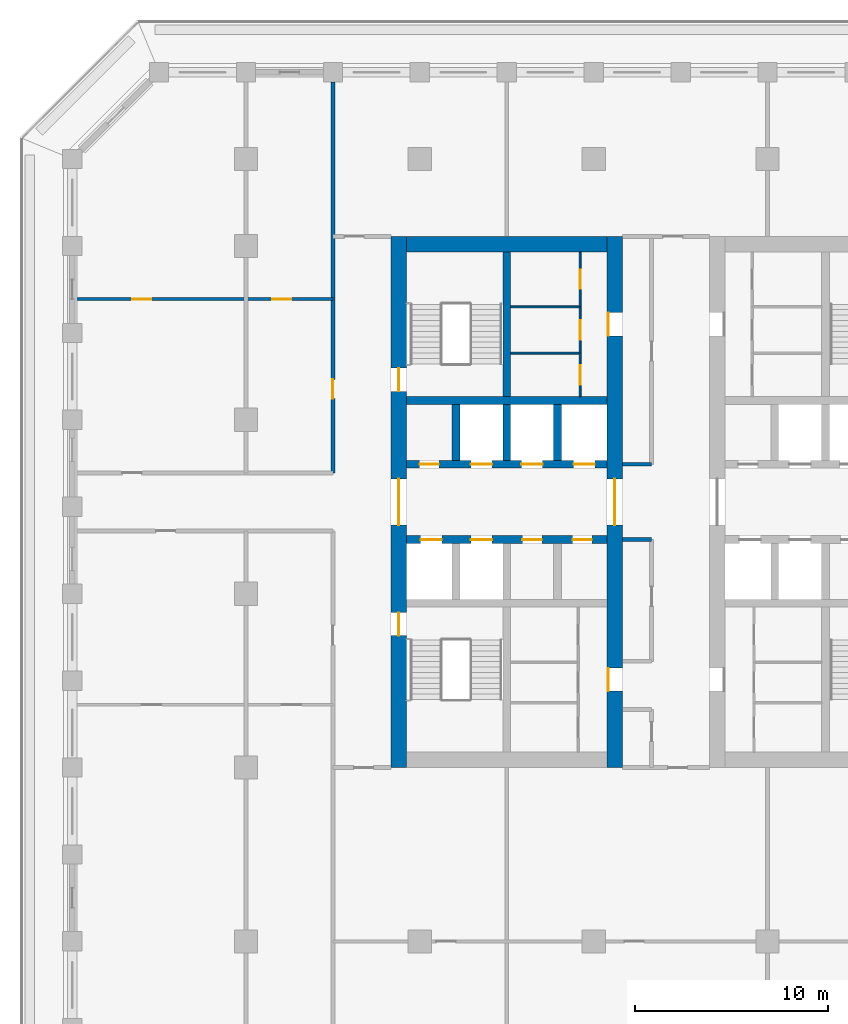
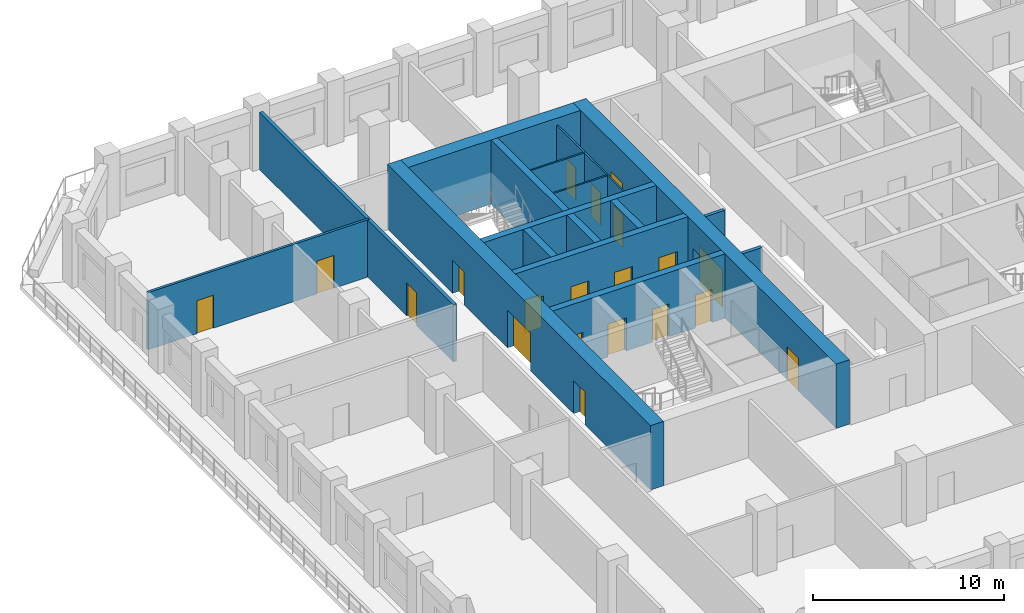
# One storey, part 5 of 16: 20 doors, 19 walls, 20 openings.
"""IFC4 building model written with IfcOpenShell, lengths in metres."""

import ifcopenshell
import ifcopenshell.guid

model = None  # the IFC model being written
_history = None  # IfcOwnerHistory: only IFC2X3 demands one
_inside = {}  # id of a spatial element -> (the spatial element, [elements in it])
_under = {}  # id of a project, library or spatial element -> (it, [spatial elements below it])
_declared = {}  # id of a project -> (the project, [libraries it declares])
_typed = {}  # id of a type object -> (the type object, [elements of that type])
_made_of = {}  # id of a material, layer set ... -> (it, [elements and type objects made of it])


def new_model(schema):
    """Start an empty IFC model of exactly this schema.

    Asked for "IFC4X3", IfcOpenShell would pick the latest addendum, in which some entities
    have other attributes; the version numbers below select the first issue.
    IFC2X3 requires an IfcOwnerHistory on every rooted entity: one is made here for all.
    """
    global model, _history
    if schema == "IFC4X3":
        model = ifcopenshell.file(schema_version=(4, 3, 0, 0))
    else:
        model = ifcopenshell.file(schema=schema)
    _inside.clear()
    _under.clear()
    _declared.clear()
    _typed.clear()
    _made_of.clear()
    _history = None
    if model.schema == "IFC2X3":
        org = make("IfcOrganization", Name="unknown")
        user = make(
            "IfcPersonAndOrganization",
            ThePerson=make("IfcPerson", FamilyName="unknown"),
            TheOrganization=org,
        )
        app = make(
            "IfcApplication",
            ApplicationDeveloper=org,
            Version="unknown",
            ApplicationFullName="unknown",
            ApplicationIdentifier="unknown",
        )
        _history = make(
            "IfcOwnerHistory",
            OwningUser=user,
            OwningApplication=app,
            ChangeAction="ADDED",
            CreationDate=0,
        )
    return model


def make(cls, **values):
    """One entity of the class cls with the attributes given. An attribute that is None is left unset."""
    return model.create_entity(
        cls, **{name: value for name, value in values.items() if value is not None}
    )


def rooted(cls, **values):
    """An entity with a GlobalId (a new one), such as an element, a storey or a relation."""
    return make(cls, GlobalId=ifcopenshell.guid.new(), OwnerHistory=_history, **values)


def si_unit(unit_type, name, prefix=None):
    """IfcSIUnit, for example si_unit("LENGTHUNIT", "METRE", prefix="MILLI")."""
    return make("IfcSIUnit", UnitType=unit_type, Prefix=prefix, Name=name)


def assignment(units):
    """IfcUnitAssignment: the units of a project."""
    return None if units is None else make("IfcUnitAssignment", Units=units)


def point(xyz):
    """IfcCartesianPoint."""
    return None if xyz is None else make("IfcCartesianPoint", Coordinates=xyz)


def direction(xyz):
    """IfcDirection."""
    return None if xyz is None else make("IfcDirection", DirectionRatios=xyz)


def frame(location, z_axis=None, x_axis=None):
    """IfcAxis2Placement3D, a coordinate frame: its origin and axes. An axis left out is left unset."""
    return make(
        "IfcAxis2Placement3D",
        Location=point(location),
        Axis=direction(z_axis),
        RefDirection=direction(x_axis),
    )


def frame_2d(location, x_axis=None):
    """IfcAxis2Placement2D, a coordinate frame in the plane: its origin and x axis."""
    return make(
        "IfcAxis2Placement2D", Location=point(location), RefDirection=direction(x_axis)
    )


def origin():
    """The frame at (0, 0, 0) with its axes left unset."""
    return frame((0.0, 0.0, 0.0))


def place(relative_to, where):
    """IfcLocalPlacement: puts the frame where relative to a parent placement (None: the world)."""
    return make(
        "IfcLocalPlacement", PlacementRelTo=relative_to, RelativePlacement=where
    )


def context(
    kind, dimensions, precision=None, world=None, true_north=None, identifier=None
):
    """IfcGeometricRepresentationContext, for example the 3D "Model" context."""
    return make(
        "IfcGeometricRepresentationContext",
        ContextIdentifier=identifier,
        ContextType=kind,
        CoordinateSpaceDimension=dimensions,
        Precision=precision,
        WorldCoordinateSystem=world,
        TrueNorth=true_north,
    )


def subcontext(parent, identifier, kind, view, scale=None):
    """IfcGeometricRepresentationSubContext, for example "Body" below "Model"."""
    return make(
        "IfcGeometricRepresentationSubContext",
        ContextIdentifier=identifier,
        ContextType=kind,
        ParentContext=parent,
        TargetScale=scale,
        TargetView=view,
    )


def project(units=None, contexts=None):
    """IfcProject with its units and contexts."""
    return rooted(
        "IfcProject",
        Name="project",
        RepresentationContexts=contexts,
        UnitsInContext=assignment(units),
    )


def spatial(cls, under=None, at=None, **own):
    """A site, building, storey or space (cls), placed at a placement, below another one or the project."""
    s = rooted(cls, ObjectPlacement=at, **own)
    if under is not None:
        _under.setdefault(under.id(), (under, []))[1].append(s)
    return s


def profile(cls, at=None, kind="AREA", **sizes):
    """A parametric profile (cls). Its sizes go by their IFC names, for example OverallWidth=200.0."""
    return make(cls, ProfileType=kind, Position=at, **sizes)


def rectangle(**sizes):
    """IfcRectangleProfileDef."""
    return profile("IfcRectangleProfileDef", **sizes)


def extrude(swept, where, along, depth):
    """IfcExtrudedAreaSolid: the profile swept, set in the frame where, extruded along a direction by depth."""
    return make(
        "IfcExtrudedAreaSolid",
        SweptArea=swept,
        Position=where,
        ExtrudedDirection=direction(along),
        Depth=depth,
    )


def shape(context_of_items, identifier, shape_type, items):
    """IfcShapeRepresentation: the items that make up one representation, for example the "Body"."""
    return make(
        "IfcShapeRepresentation",
        ContextOfItems=context_of_items,
        RepresentationIdentifier=identifier,
        RepresentationType=shape_type,
        Items=items,
    )


def material(Name=None, Category=None):
    """IfcMaterial."""
    return make("IfcMaterial", Name=Name, Category=Category)


def layer(
    of_material, thickness, ventilated=None, Name=None, Category=None, Priority=None
):
    """IfcMaterialLayer: one layer of a wall or slab, of a material (None: an air gap)."""
    return make(
        "IfcMaterialLayer",
        Material=of_material,
        LayerThickness=thickness,
        IsVentilated=ventilated,
        Name=Name,
        Category=Category,
        Priority=Priority,
    )


def layer_set(layers, Name=None):
    """IfcMaterialLayerSet."""
    return make("IfcMaterialLayerSet", MaterialLayers=layers, LayerSetName=Name)


def made_of(thing, what):
    """Note that an element or type object is made of a material, layer set ...; save() writes the relation."""
    if what is not None:
        _made_of.setdefault(what.id(), (what, []))[1].append(thing)
    return thing


def type_object(cls, material=None, **own):
    """A type object (cls), such as IfcWallType, which elements share."""
    return made_of(rooted(cls, **own), material)


def element(
    cls,
    number,
    at=None,
    inside=None,
    cuts=None,
    type_object=None,
    material=None,
    context=None,
    identifier="Body",
    shape_type=None,
    held_by="IfcProductDefinitionShape",
    body=None,
    shapes=None,
    **own,
):
    """One element of the class cls, such as IfcWall. Its Tag is "e" and its number.

    at: its placement. inside: the storey or other place that contains it. cuts: it is an
    opening in that element (IfcRelVoidsElement). A single representation is given by context,
    identifier, shape_type and body (its items); several are given by shapes. held_by: the class
    of the entity that holds the representations. save() writes the other relations.
    """
    e = rooted(cls, Tag="e%d" % number, ObjectPlacement=at, **own)
    if body is not None:
        shapes = [shape(context, identifier, shape_type, body)]
    if shapes is not None:
        e.Representation = make(held_by, Representations=shapes)
    if inside is not None:
        _inside.setdefault(inside.id(), (inside, []))[1].append(e)
    if cuts is not None:
        rooted(
            "IfcRelVoidsElement", RelatingBuildingElement=cuts, RelatedOpeningElement=e
        )
    if type_object is not None:
        _typed.setdefault(type_object.id(), (type_object, []))[1].append(e)
    return made_of(e, material)


def fill(opening, filler):
    """IfcRelFillsElement: the door or window that sits in an opening."""
    return rooted(
        "IfcRelFillsElement",
        RelatingOpeningElement=opening,
        RelatedBuildingElement=filler,
    )


def aggregate(whole, parts):
    """IfcRelAggregates: a whole, such as a stair, and the parts it consists of."""
    return rooted("IfcRelAggregates", RelatingObject=whole, RelatedObjects=parts)


def save(model, path):
    """Write the relations noted so far, then the file.

    IfcRelAggregates (storeys below a building ...), IfcRelContainedInSpatialStructure (elements
    in a storey), IfcRelDefinesByType, IfcRelAssociatesMaterial and IfcRelDeclares: one each for
    every whole, place, type object, material and project.
    """
    for whole, parts in _under.values():
        aggregate(whole, parts)
    for where, things in _inside.values():
        rooted(
            "IfcRelContainedInSpatialStructure",
            RelatedElements=things,
            RelatingStructure=where,
        )
    for kind, things in _typed.values():
        rooted("IfcRelDefinesByType", RelatedObjects=things, RelatingType=kind)
    for what, things in _made_of.values():
        rooted("IfcRelAssociatesMaterial", RelatedObjects=things, RelatingMaterial=what)
    for by, libraries in _declared.values():
        rooted("IfcRelDeclares", RelatingContext=by, RelatedDefinitions=libraries)
    model.write(path)


model = new_model("IFC4")

# Units and contexts
model_context = context("Model", 3, precision=1e-05, world=origin(), true_north=direction((0.0, 1.0)))
body_context = subcontext(model_context, "Body", "Model", "MODEL_VIEW")
ifc_project = project(units=[si_unit("LENGTHUNIT", "METRE"), si_unit("AREAUNIT", "SQUARE_METRE"), si_unit("VOLUMEUNIT", "CUBIC_METRE"), si_unit("PLANEANGLEUNIT", "RADIAN"), si_unit("MASSUNIT", "GRAM", prefix="KILO")], contexts=[model_context])

# Site, building, storey
site_placement = place(None, origin())
site = spatial("IfcSite", under=ifc_project, at=site_placement, CompositionType="ELEMENT")
building_placement = place(site_placement, origin())
building = spatial("IfcBuilding", under=site, at=building_placement, Name="Corbel Stack Research Tower", CompositionType="ELEMENT")
storey_placement = place(building_placement, frame((0.0, 0.0, 169.10009765625)))
storey = spatial("IfcBuildingStorey", under=building, at=storey_placement, Name="L38", CompositionType="ELEMENT", Elevation=169.10009765625)

# Wall, openings, doors
ifc_material_1 = material(Name="Concrete C60/75", Category="concrete")
ifc_layer_1 = layer(ifc_material_1, 0.39990234375)
ifc_layer_set_1 = layer_set([ifc_layer_1], Name="Concrete C60/75")
wall_type_1 = type_object("IfcWallType", Name="CW-400-60", PredefinedType="SHEAR", material=ifc_layer_set_1)
wall_1_placement = place(storey_placement, frame((-9.699951171875, 2.800048828125, 0.0), z_axis=(0.0, 0.0, 1.0), x_axis=(1.0, 0.0, 0.0)))
wall_1 = element("IfcWall", 1, at=wall_1_placement, inside=storey, type_object=wall_type_1, Name="West core wall, lobby south L38", PredefinedType="SHEAR", context=body_context, shape_type="SweptSolid", body=[
    extrude(rectangle(XDim=10.39990234375, YDim=0.39990234375, at=frame_2d((5.199951171875, 0.0))), origin(), (0.0, 0.0, 1.0), 4.099853515625),
])
opening_1_placement = place(wall_1_placement, frame((0.737548828125, 0.0, 0.0)))
opening_1 = element("IfcOpeningElement", 2, at=opening_1_placement, cuts=wall_1, Name="Opening LD-FS1", PredefinedType="OPENING", context=body_context, shape_type="SweptSolid", body=[
    extrude(rectangle(XDim=1.10009765625, YDim=2.10009765625, at=frame_2d((0.550048828125, 1.050048828125))), frame((0.0, 0.2099609375, 0.0), z_axis=(0.0, -1.0, 0.0), x_axis=(1.0, 0.0, 0.0)), (0.0, 0.0, 1.0), 0.419921875),
])
opening_2_placement = place(wall_1_placement, frame((3.33740234375, 0.0, 0.0)))
opening_2 = element("IfcOpeningElement", 3, at=opening_2_placement, cuts=wall_1, Name="Opening LD-GL1", PredefinedType="OPENING", context=body_context, shape_type="SweptSolid", body=[
    extrude(rectangle(XDim=1.10009765625, YDim=2.10009765625, at=frame_2d((0.550048828125, 1.050048828125))), frame((0.0, 0.2099609375, 0.0), z_axis=(0.0, -1.0, 0.0), x_axis=(1.0, 0.0, 0.0)), (0.0, 0.0, 1.0), 0.419921875),
])
opening_3_placement = place(wall_1_placement, frame((6.012451171875, 0.0, 0.0)))
opening_3 = element("IfcOpeningElement", 4, at=opening_3_placement, cuts=wall_1, Name="Opening CR-W12-S3", PredefinedType="OPENING", context=body_context, shape_type="SweptSolid", body=[
    extrude(rectangle(XDim=1.0, YDim=2.10009765625, at=frame_2d((0.5, 1.050048828125))), frame((0.0, 0.2099609375, 0.0), z_axis=(0.0, -1.0, 0.0), x_axis=(1.0, 0.0, 0.0)), (0.0, 0.0, 1.0), 0.419921875),
])
opening_4_placement = place(wall_1_placement, frame((8.612548828125, 0.0, 0.0)))
opening_4 = element("IfcOpeningElement", 5, at=opening_4_placement, cuts=wall_1, Name="Opening CR-W12-S4", PredefinedType="OPENING", context=body_context, shape_type="SweptSolid", body=[
    extrude(rectangle(XDim=1.0, YDim=2.10009765625, at=frame_2d((0.5, 1.050048828125))), frame((0.0, 0.2099609375, 0.0), z_axis=(0.0, -1.0, 0.0), x_axis=(1.0, 0.0, 0.0)), (0.0, 0.0, 1.0), 0.419921875),
])
ifc_material_2 = material(Name="Stainless steel landing door", Category="steel")
door_type_1 = type_object("IfcDoorType", Name="Lift landing door 1100 x 2100", OperationType="DOUBLE_DOOR_SLIDING", PredefinedType="DOOR", material=ifc_material_2)
door_1_placement = place(opening_1_placement, origin())
door_1 = element("IfcDoor", 6, at=door_1_placement, inside=storey, type_object=door_type_1, Name="Landing door FS1", OperationType="DOUBLE_DOOR_SLIDING", OverallHeight=2.10009765625, OverallWidth=1.10009765625, PredefinedType="DOOR", context=body_context, shape_type="SweptSolid", body=[
    extrude(rectangle(XDim=1.10009765625, YDim=2.10009765625, at=frame_2d((0.550048828125, 1.050048828125))), frame((0.0, 0.02490234375, 0.0), z_axis=(0.0, -1.0, 0.0), x_axis=(1.0, 0.0, 0.0)), (0.0, 0.0, 1.0), 0.050048828125),
])
fill(opening_1, door_1)
door_2_placement = place(opening_2_placement, origin())
door_2 = element("IfcDoor", 7, at=door_2_placement, inside=storey, type_object=door_type_1, Name="Landing door GL1", OperationType="DOUBLE_DOOR_SLIDING", OverallHeight=2.10009765625, OverallWidth=1.10009765625, PredefinedType="DOOR", context=body_context, shape_type="SweptSolid", body=[
    extrude(rectangle(XDim=1.10009765625, YDim=2.10009765625, at=frame_2d((0.550048828125, 1.050048828125))), frame((0.0, 0.02490234375, 0.0), z_axis=(0.0, -1.0, 0.0), x_axis=(1.0, 0.0, 0.0)), (0.0, 0.0, 1.0), 0.050048828125),
])
fill(opening_2, door_2)
ifc_material_3 = material(Name="Painted steel door", Category="steel")
door_type_2 = type_object("IfcDoorType", Name="Service door 1000 x 2100 FD60 left hand", OperationType="SINGLE_SWING_LEFT", PredefinedType="DOOR", material=ifc_material_3)
door_3_placement = place(opening_3_placement, origin())
door_3 = element("IfcDoor", 8, at=door_3_placement, inside=storey, type_object=door_type_2, Name="Vending bay door W core", OperationType="SINGLE_SWING_LEFT", OverallHeight=2.10009765625, OverallWidth=1.0, PredefinedType="DOOR", context=body_context, shape_type="SweptSolid", body=[
    extrude(rectangle(XDim=1.0, YDim=2.10009765625, at=frame_2d((0.5, 1.050048828125))), frame((0.0, 0.02490234375, 0.0), z_axis=(0.0, -1.0, 0.0), x_axis=(1.0, 0.0, 0.0)), (0.0, 0.0, 1.0), 0.050048828125),
])
fill(opening_3, door_3)
ifc_material_4 = material(Name="Painted steel door", Category="steel")
door_type_3 = type_object("IfcDoorType", Name="Service door 1000 x 2100 FD60 right hand", OperationType="SINGLE_SWING_RIGHT", PredefinedType="DOOR", material=ifc_material_4)
door_4_placement = place(opening_4_placement, origin())
door_4 = element("IfcDoor", 9, at=door_4_placement, inside=storey, type_object=door_type_3, Name="Mechanical room door W core", OperationType="SINGLE_SWING_RIGHT", OverallHeight=2.10009765625, OverallWidth=1.0, PredefinedType="DOOR", context=body_context, shape_type="SweptSolid", body=[
    extrude(rectangle(XDim=1.0, YDim=2.10009765625, at=frame_2d((0.5, 1.050048828125))), frame((0.0, 0.02490234375, 0.0), z_axis=(0.0, -1.0, 0.0), x_axis=(1.0, 0.0, 0.0)), (0.0, 0.0, 1.0), 0.050048828125),
])
fill(opening_4, door_4)

wall_2_placement = place(storey_placement, frame((-9.699951171875, 6.699951171875, 0.0), z_axis=(0.0, 0.0, 1.0), x_axis=(1.0, 0.0, 0.0)))
wall_2 = element("IfcWall", 10, at=wall_2_placement, inside=storey, type_object=wall_type_1, Name="West core wall, lobby north L38", PredefinedType="SHEAR", context=body_context, shape_type="SweptSolid", body=[
    extrude(rectangle(XDim=10.39990234375, YDim=0.39990234375, at=frame_2d((5.199951171875, 0.0))), origin(), (0.0, 0.0, 1.0), 4.099853515625),
])
opening_5_placement = place(wall_2_placement, frame((3.33740234375, 0.0, 0.0)))
opening_5 = element("IfcOpeningElement", 11, at=opening_5_placement, cuts=wall_2, Name="Opening LD-HR1", PredefinedType="OPENING", context=body_context, shape_type="SweptSolid", body=[
    extrude(rectangle(XDim=1.10009765625, YDim=2.10009765625, at=frame_2d((0.550048828125, 1.050048828125))), frame((0.0, 0.2099609375, 0.0), z_axis=(0.0, -1.0, 0.0), x_axis=(1.0, 0.0, 0.0)), (0.0, 0.0, 1.0), 0.419921875),
])
opening_6_placement = place(wall_2_placement, frame((5.96240234375, 0.0, 0.0)))
opening_6 = element("IfcOpeningElement", 12, at=opening_6_placement, cuts=wall_2, Name="Opening LD-HR2", PredefinedType="OPENING", context=body_context, shape_type="SweptSolid", body=[
    extrude(rectangle(XDim=1.10009765625, YDim=2.10009765625, at=frame_2d((0.550048828125, 1.050048828125))), frame((0.0, 0.2099609375, 0.0), z_axis=(0.0, -1.0, 0.0), x_axis=(1.0, 0.0, 0.0)), (0.0, 0.0, 1.0), 0.419921875),
])
opening_7_placement = place(wall_2_placement, frame((8.66259765625, 0.0, 0.0)))
opening_7 = element("IfcOpeningElement", 13, at=opening_7_placement, cuts=wall_2, Name="Opening LD-HR3", PredefinedType="OPENING", context=body_context, shape_type="SweptSolid", body=[
    extrude(rectangle(XDim=1.10009765625, YDim=2.10009765625, at=frame_2d((0.550048828125, 1.050048828125))), frame((0.0, 0.2099609375, 0.0), z_axis=(0.0, -1.0, 0.0), x_axis=(1.0, 0.0, 0.0)), (0.0, 0.0, 1.0), 0.419921875),
])
opening_8_placement = place(wall_2_placement, frame((0.6875, 0.0, 0.0)))
opening_8 = element("IfcOpeningElement", 14, at=opening_8_placement, cuts=wall_2, Name="Opening CR-W12-N1", PredefinedType="OPENING", context=body_context, shape_type="SweptSolid", body=[
    extrude(rectangle(XDim=1.0, YDim=2.10009765625, at=frame_2d((0.5, 1.050048828125))), frame((0.0, 0.2099609375, 0.0), z_axis=(0.0, -1.0, 0.0), x_axis=(1.0, 0.0, 0.0)), (0.0, 0.0, 1.0), 0.419921875),
])
door_5_placement = place(opening_5_placement, origin())
door_5 = element("IfcDoor", 15, at=door_5_placement, inside=storey, type_object=door_type_1, Name="Landing door HR1", OperationType="DOUBLE_DOOR_SLIDING", OverallHeight=2.10009765625, OverallWidth=1.10009765625, PredefinedType="DOOR", context=body_context, shape_type="SweptSolid", body=[
    extrude(rectangle(XDim=1.10009765625, YDim=2.10009765625, at=frame_2d((0.550048828125, 1.050048828125))), frame((0.0, 0.02490234375, 0.0), z_axis=(0.0, -1.0, 0.0), x_axis=(1.0, 0.0, 0.0)), (0.0, 0.0, 1.0), 0.050048828125),
])
fill(opening_5, door_5)
door_6_placement = place(opening_6_placement, origin())
door_6 = element("IfcDoor", 16, at=door_6_placement, inside=storey, type_object=door_type_1, Name="Landing door HR2", OperationType="DOUBLE_DOOR_SLIDING", OverallHeight=2.10009765625, OverallWidth=1.10009765625, PredefinedType="DOOR", context=body_context, shape_type="SweptSolid", body=[
    extrude(rectangle(XDim=1.10009765625, YDim=2.10009765625, at=frame_2d((0.550048828125, 1.050048828125))), frame((0.0, 0.02490234375, 0.0), z_axis=(0.0, -1.0, 0.0), x_axis=(1.0, 0.0, 0.0)), (0.0, 0.0, 1.0), 0.050048828125),
])
fill(opening_6, door_6)
door_7_placement = place(opening_7_placement, origin())
door_7 = element("IfcDoor", 17, at=door_7_placement, inside=storey, type_object=door_type_1, Name="Landing door HR3", OperationType="DOUBLE_DOOR_SLIDING", OverallHeight=2.10009765625, OverallWidth=1.10009765625, PredefinedType="DOOR", context=body_context, shape_type="SweptSolid", body=[
    extrude(rectangle(XDim=1.10009765625, YDim=2.10009765625, at=frame_2d((0.550048828125, 1.050048828125))), frame((0.0, 0.02490234375, 0.0), z_axis=(0.0, -1.0, 0.0), x_axis=(1.0, 0.0, 0.0)), (0.0, 0.0, 1.0), 0.050048828125),
])
fill(opening_7, door_7)
door_8_placement = place(opening_8_placement, origin())
door_8 = element("IfcDoor", 18, at=door_8_placement, inside=storey, type_object=door_type_2, Name="Telecom room door W core", OperationType="SINGLE_SWING_LEFT", OverallHeight=2.10009765625, OverallWidth=1.0, PredefinedType="DOOR", context=body_context, shape_type="SweptSolid", body=[
    extrude(rectangle(XDim=1.0, YDim=2.10009765625, at=frame_2d((0.5, 1.050048828125))), frame((0.0, 0.02490234375, 0.0), z_axis=(0.0, -1.0, 0.0), x_axis=(1.0, 0.0, 0.0)), (0.0, 0.0, 1.0), 0.050048828125),
])
fill(opening_8, door_8)

# Walls
wall_3_placement = place(storey_placement, frame((-9.699951171875, 10.0, 0.0), z_axis=(0.0, 0.0, 1.0), x_axis=(1.0, 0.0, 0.0)))
element("IfcWall", 19, at=wall_3_placement, inside=storey, type_object=wall_type_1, Name="West core wall, north row back L38", PredefinedType="SHEAR", context=body_context, shape_type="SweptSolid", body=[
    extrude(rectangle(XDim=10.39990234375, YDim=0.39990234375, at=frame_2d((5.199951171875, 0.0))), origin(), (0.0, 0.0, 1.0), 4.099853515625),
])
for number, where, z_axis, x_axis, name in (
    (20, (-7.125, 6.89990234375, 0.0), (0.0, 0.0, 1.0), (0.0, 1.0, 0.0), "West core wall, north shaft 1 L38"),
    (21, (-4.5, 6.89990234375, 0.0), (0.0, 0.0, 1.0), (0.0, 1.0, 0.0), "West core wall, north shaft 2 L38"),
    (22, (-1.875, 6.89990234375, 0.0), (0.0, 0.0, 1.0), (0.0, 1.0, 0.0), "West core wall, north shaft 3 L38"),
):
    element("IfcWall", number, at=place(storey_placement, frame(where, z_axis=z_axis, x_axis=x_axis)), inside=storey, type_object=wall_type_1, Name=name, PredefinedType="SHEAR", context=body_context, shape_type="SweptSolid", body=[
        extrude(rectangle(XDim=2.900146484375, YDim=0.39990234375, at=frame_2d((1.4501953125, 0.0))), origin(), (0.0, 0.0, 1.0), 4.099853515625),
    ])
wall_4_placement = place(storey_placement, frame((-4.5, 10.199951171875, 0.0), z_axis=(0.0, 0.0, 1.0), x_axis=(0.0, 1.0, 0.0)))
element("IfcWall", 23, at=wall_4_placement, inside=storey, type_object=wall_type_1, Name="West core wall, north stair and riser L38", PredefinedType="SHEAR", context=body_context, shape_type="SweptSolid", body=[
    extrude(rectangle(XDim=7.5, YDim=0.39990234375, at=frame_2d((3.75, 0.0))), origin(), (0.0, 0.0, 1.0), 4.099853515625),
])

# Wall, openings, doors
ifc_material_5 = material(Name="Concrete C60/75", Category="concrete")
ifc_layer_2 = layer(ifc_material_5, 0.800048828125)
ifc_layer_set_2 = layer_set([ifc_layer_2], Name="Concrete C60/75")
wall_type_2 = type_object("IfcWallType", Name="CW-800-60", PredefinedType="SHEAR", material=ifc_layer_set_2)
wall_5_placement = place(storey_placement, frame((-10.10009765625, -9.0, 0.0), z_axis=(0.0, 0.0, 1.0), x_axis=(0.0, 1.0, 0.0)))
wall_5 = element("IfcWall", 24, at=wall_5_placement, inside=storey, type_object=wall_type_2, Name="West core wall, west face L38", PredefinedType="SHEAR", context=body_context, shape_type="SweptSolid", body=[
    extrude(rectangle(XDim=27.5, YDim=0.800048828125, at=frame_2d((13.75, 0.0))), origin(), (0.0, 0.0, 1.0), 4.099853515625),
])
opening_9_placement = place(wall_5_placement, frame((12.550048828125, 0.0, 0.0)))
opening_9 = element("IfcOpeningElement", 25, at=opening_9_placement, cuts=wall_5, Name="Opening CD-W-W", PredefinedType="OPENING", context=body_context, shape_type="SweptSolid", body=[
    extrude(rectangle(XDim=2.39990234375, YDim=2.39990234375, at=frame_2d((1.199951171875, 1.199951171875))), frame((0.0, 0.409912109375, 0.0), z_axis=(0.0, -1.0, 0.0), x_axis=(1.0, 0.0, 0.0)), (0.0, 0.0, 1.0), 0.820068359375),
])
opening_10_placement = place(wall_5_placement, frame((6.824951171875, 0.0, 0.0)))
opening_10 = element("IfcOpeningElement", 26, at=opening_10_placement, cuts=wall_5, Name="Opening SD-ST-W1", PredefinedType="OPENING", context=body_context, shape_type="SweptSolid", body=[
    extrude(rectangle(XDim=1.199951171875, YDim=2.10009765625, at=frame_2d((0.60009765625, 1.050048828125))), frame((0.0, 0.409912109375, 0.0), z_axis=(0.0, -1.0, 0.0), x_axis=(1.0, 0.0, 0.0)), (0.0, 0.0, 1.0), 0.820068359375),
])
opening_11_placement = place(wall_5_placement, frame((19.47509765625, 0.0, 0.0)))
opening_11 = element("IfcOpeningElement", 27, at=opening_11_placement, cuts=wall_5, Name="Opening SD-ST-W2", PredefinedType="OPENING", context=body_context, shape_type="SweptSolid", body=[
    extrude(rectangle(XDim=1.199951171875, YDim=2.10009765625, at=frame_2d((0.60009765625, 1.050048828125))), frame((0.0, 0.409912109375, 0.0), z_axis=(0.0, -1.0, 0.0), x_axis=(1.0, 0.0, 0.0)), (0.0, 0.0, 1.0), 0.820068359375),
])
ifc_material_6 = material(Name="Painted steel fire door", Category="steel")
door_type_4 = type_object("IfcDoorType", Name="Lobby door pair 2400 x 2400 FD30S", OperationType="DOUBLE_DOOR_DOUBLE_SWING", PredefinedType="DOOR", material=ifc_material_6)
door_9_placement = place(opening_9_placement, origin())
door_9 = element("IfcDoor", 28, at=door_9_placement, inside=storey, type_object=door_type_4, Name="Lift lobby door W core W", OperationType="DOUBLE_DOOR_DOUBLE_SWING", OverallHeight=2.39990234375, OverallWidth=2.39990234375, PredefinedType="DOOR", context=body_context, shape_type="SweptSolid", body=[
    extrude(rectangle(XDim=2.39990234375, YDim=2.39990234375, at=frame_2d((1.199951171875, 1.199951171875))), frame((0.0, 0.02490234375, 0.0), z_axis=(0.0, -1.0, 0.0), x_axis=(1.0, 0.0, 0.0)), (0.0, 0.0, 1.0), 0.050048828125),
])
fill(opening_9, door_9)
ifc_material_7 = material(Name="Painted steel fire door", Category="steel")
door_type_5 = type_object("IfcDoorType", Name="Stair door 1200 x 2100 FD90 left hand", OperationType="SINGLE_SWING_LEFT", PredefinedType="DOOR", material=ifc_material_7)
door_10_placement = place(opening_10_placement, origin())
door_10 = element("IfcDoor", 29, at=door_10_placement, inside=storey, type_object=door_type_5, Name="Stair door ST-W1", OperationType="SINGLE_SWING_LEFT", OverallHeight=2.10009765625, OverallWidth=1.199951171875, PredefinedType="DOOR", context=body_context, shape_type="SweptSolid", body=[
    extrude(rectangle(XDim=1.199951171875, YDim=2.10009765625, at=frame_2d((0.60009765625, 1.050048828125))), frame((0.0, 0.02490234375, 0.0), z_axis=(0.0, -1.0, 0.0), x_axis=(1.0, 0.0, 0.0)), (0.0, 0.0, 1.0), 0.050048828125),
])
fill(opening_10, door_10)
door_11_placement = place(opening_11_placement, origin())
door_11 = element("IfcDoor", 30, at=door_11_placement, inside=storey, type_object=door_type_5, Name="Stair door ST-W2", OperationType="SINGLE_SWING_LEFT", OverallHeight=2.10009765625, OverallWidth=1.199951171875, PredefinedType="DOOR", context=body_context, shape_type="SweptSolid", body=[
    extrude(rectangle(XDim=1.199951171875, YDim=2.10009765625, at=frame_2d((0.60009765625, 1.050048828125))), frame((0.0, 0.02490234375, 0.0), z_axis=(0.0, -1.0, 0.0), x_axis=(1.0, 0.0, 0.0)), (0.0, 0.0, 1.0), 0.050048828125),
])
fill(opening_11, door_11)

wall_6_placement = place(storey_placement, frame((1.10009765625, -9.0, 0.0), z_axis=(0.0, 0.0, 1.0), x_axis=(0.0, 1.0, 0.0)))
wall_6 = element("IfcWall", 31, at=wall_6_placement, inside=storey, type_object=wall_type_2, Name="West core wall, east face L38", PredefinedType="SHEAR", context=body_context, shape_type="SweptSolid", body=[
    extrude(rectangle(XDim=27.5, YDim=0.800048828125, at=frame_2d((13.75, 0.0))), origin(), (0.0, 0.0, 1.0), 4.099853515625),
])
opening_12_placement = place(wall_6_placement, frame((12.550048828125, 0.0, 0.0)))
opening_12 = element("IfcOpeningElement", 32, at=opening_12_placement, cuts=wall_6, Name="Opening CD-W-E", PredefinedType="OPENING", context=body_context, shape_type="SweptSolid", body=[
    extrude(rectangle(XDim=2.39990234375, YDim=2.39990234375, at=frame_2d((1.199951171875, 1.199951171875))), frame((0.0, 0.409912109375, 0.0), z_axis=(0.0, -1.0, 0.0), x_axis=(1.0, 0.0, 0.0)), (0.0, 0.0, 1.0), 0.820068359375),
])
opening_13_placement = place(wall_6_placement, frame((3.949951171875, 0.0, 0.0)))
opening_13 = element("IfcOpeningElement", 33, at=opening_13_placement, cuts=wall_6, Name="Opening CR-W12-W1-1200", PredefinedType="OPENING", context=body_context, shape_type="SweptSolid", body=[
    extrude(rectangle(XDim=1.199951171875, YDim=2.10009765625, at=frame_2d((0.60009765625, 1.050048828125))), frame((0.0, 0.409912109375, 0.0), z_axis=(0.0, -1.0, 0.0), x_axis=(1.0, 0.0, 0.0)), (0.0, 0.0, 1.0), 0.820068359375),
])
opening_14_placement = place(wall_6_placement, frame((22.35009765625, 0.0, 0.0)))
opening_14 = element("IfcOpeningElement", 34, at=opening_14_placement, cuts=wall_6, Name="Opening CR-W12-R1-1200", PredefinedType="OPENING", context=body_context, shape_type="SweptSolid", body=[
    extrude(rectangle(XDim=1.199951171875, YDim=2.10009765625, at=frame_2d((0.60009765625, 1.050048828125))), frame((0.0, 0.409912109375, 0.0), z_axis=(0.0, -1.0, 0.0), x_axis=(1.0, 0.0, 0.0)), (0.0, 0.0, 1.0), 0.820068359375),
])
door_12_placement = place(opening_12_placement, origin())
door_12 = element("IfcDoor", 35, at=door_12_placement, inside=storey, type_object=door_type_4, Name="Lift lobby door W core E", OperationType="DOUBLE_DOOR_DOUBLE_SWING", OverallHeight=2.39990234375, OverallWidth=2.39990234375, PredefinedType="DOOR", context=body_context, shape_type="SweptSolid", body=[
    extrude(rectangle(XDim=2.39990234375, YDim=2.39990234375, at=frame_2d((1.199951171875, 1.199951171875))), frame((0.0, 0.02490234375, 0.0), z_axis=(0.0, -1.0, 0.0), x_axis=(1.0, 0.0, 0.0)), (0.0, 0.0, 1.0), 0.050048828125),
])
fill(opening_12, door_12)
ifc_material_8 = material(Name="Painted steel door", Category="steel")
door_type_6 = type_object("IfcDoorType", Name="Service door 1200 x 2100 FD30 left hand", OperationType="SINGLE_SWING_LEFT", PredefinedType="DOOR", material=ifc_material_8)
door_13_placement = place(opening_14_placement, origin())
door_13 = element("IfcDoor", 36, at=door_13_placement, inside=storey, type_object=door_type_6, Name="Service passage door W core", OperationType="SINGLE_SWING_LEFT", OverallHeight=2.10009765625, OverallWidth=1.199951171875, PredefinedType="DOOR", context=body_context, shape_type="SweptSolid", body=[
    extrude(rectangle(XDim=1.199951171875, YDim=2.10009765625, at=frame_2d((0.60009765625, 1.050048828125))), frame((0.0, 0.375, 0.0), z_axis=(0.0, -1.0, 0.0), x_axis=(1.0, 0.0, 0.0)), (0.0, 0.0, 1.0), 0.050048828125),
])
fill(opening_14, door_13)
ifc_material_9 = material(Name="Painted timber door", Category="wood")
door_type_7 = type_object("IfcDoorType", Name="WC door 1200 x 2100 left hand", OperationType="SINGLE_SWING_LEFT", PredefinedType="DOOR", material=ifc_material_9)
door_14_placement = place(opening_13_placement, origin())
door_14 = element("IfcDoor", 37, at=door_14_placement, inside=storey, type_object=door_type_7, Name="WC lobby door W core", OperationType="SINGLE_SWING_LEFT", OverallHeight=2.10009765625, OverallWidth=1.199951171875, PredefinedType="DOOR", context=body_context, shape_type="SweptSolid", body=[
    extrude(rectangle(XDim=1.199951171875, YDim=2.10009765625, at=frame_2d((0.60009765625, 1.050048828125))), frame((0.0, 0.375, 0.0), z_axis=(0.0, -1.0, 0.0), x_axis=(1.0, 0.0, 0.0)), (0.0, 0.0, 1.0), 0.050048828125),
])
fill(opening_13, door_14)

# Wall
wall_7_placement = place(storey_placement, frame((-9.699951171875, 18.10009765625, 0.0), z_axis=(0.0, 0.0, 1.0), x_axis=(1.0, 0.0, 0.0)))
element("IfcWall", 38, at=wall_7_placement, inside=storey, type_object=wall_type_2, Name="West core wall, north end L38", PredefinedType="SHEAR", context=body_context, shape_type="SweptSolid", body=[
    extrude(rectangle(XDim=10.39990234375, YDim=0.800048828125, at=frame_2d((5.199951171875, 0.0))), origin(), (0.0, 0.0, 1.0), 4.099853515625),
])

# Wall, opening, door
ifc_material_10 = material(Name="Gypsum board")
ifc_layer_3 = layer(ifc_material_10, 0.10009765625)
ifc_layer_set_3 = layer_set([ifc_layer_3], Name="Gypsum board")
wall_type_3 = type_object("IfcWallType", Name="Core partition 100", PredefinedType="PARTITIONING", material=ifc_layer_set_3)
wall_8_placement = place(storey_placement, frame((-0.699951171875, 10.199951171875, 0.0), z_axis=(0.0, 0.0, 1.0), x_axis=(0.0, 1.0, 0.0)))
wall_8 = element("IfcWall", 39, at=wall_8_placement, inside=storey, type_object=wall_type_3, Name="Core partition W", PredefinedType="PARTITIONING", context=body_context, shape_type="SweptSolid", body=[
    extrude(rectangle(XDim=2.25, YDim=0.10009765625, at=frame_2d((1.125, 0.0))), origin(), (0.0, 0.0, 1.0), 3.64990234375),
])
opening_15_placement = place(wall_8_placement, frame((0.625, 0.0, 0.0)))
opening_15 = element("IfcOpeningElement", 40, at=opening_15_placement, cuts=wall_8, Name="Opening CR-W12-R2-1000", PredefinedType="OPENING", context=body_context, shape_type="SweptSolid", body=[
    extrude(rectangle(XDim=1.0, YDim=2.10009765625, at=frame_2d((0.5, 1.050048828125))), frame((0.0, 0.06005859375, 0.0), z_axis=(0.0, -1.0, 0.0), x_axis=(1.0, 0.0, 0.0)), (0.0, 0.0, 1.0), 0.1201171875),
])
ifc_material_11 = material(Name="Painted steel door", Category="steel")
door_type_8 = type_object("IfcDoorType", Name="Riser door 1000 x 2100 FD60 right hand", OperationType="SINGLE_SWING_RIGHT", PredefinedType="DOOR", material=ifc_material_11)
door_15_placement = place(opening_15_placement, origin())
door_15 = element("IfcDoor", 41, at=door_15_placement, inside=storey, type_object=door_type_8, Name="Mechanical riser door W core", OperationType="SINGLE_SWING_RIGHT", OverallHeight=2.10009765625, OverallWidth=1.0, PredefinedType="DOOR", context=body_context, shape_type="SweptSolid", body=[
    extrude(rectangle(XDim=1.0, YDim=2.10009765625, at=frame_2d((0.5, 1.050048828125))), frame((0.0, 0.02490234375, 0.0), z_axis=(0.0, -1.0, 0.0), x_axis=(1.0, 0.0, 0.0)), (0.0, 0.0, 1.0), 0.050048828125),
])
fill(opening_15, door_15)

wall_9_placement = place(storey_placement, frame((-0.699951171875, 12.449951171875, 0.0), z_axis=(0.0, 0.0, 1.0), x_axis=(0.0, 1.0, 0.0)))
wall_9 = element("IfcWall", 42, at=wall_9_placement, inside=storey, type_object=wall_type_3, Name="Core partition W", PredefinedType="PARTITIONING", context=body_context, shape_type="SweptSolid", body=[
    extrude(rectangle(XDim=2.400146484375, YDim=0.10009765625, at=frame_2d((1.2001953125, 0.0))), origin(), (0.0, 0.0, 1.0), 3.64990234375),
])
opening_16_placement = place(wall_9_placement, frame((0.699951171875, 0.0, 0.0)))
opening_16 = element("IfcOpeningElement", 43, at=opening_16_placement, cuts=wall_9, Name="Opening CR-W12-R3-1000", PredefinedType="OPENING", context=body_context, shape_type="SweptSolid", body=[
    extrude(rectangle(XDim=1.0, YDim=2.10009765625, at=frame_2d((0.5, 1.050048828125))), frame((0.0, 0.06005859375, 0.0), z_axis=(0.0, -1.0, 0.0), x_axis=(1.0, 0.0, 0.0)), (0.0, 0.0, 1.0), 0.1201171875),
])
ifc_material_12 = material(Name="Painted steel door", Category="steel")
door_type_9 = type_object("IfcDoorType", Name="Service door 1000 x 2100 FD30 left hand", OperationType="SINGLE_SWING_LEFT", PredefinedType="DOOR", material=ifc_material_12)
door_16_placement = place(opening_16_placement, origin())
door_16 = element("IfcDoor", 44, at=door_16_placement, inside=storey, type_object=door_type_9, Name="Pantry door W core", OperationType="SINGLE_SWING_LEFT", OverallHeight=2.10009765625, OverallWidth=1.0, PredefinedType="DOOR", context=body_context, shape_type="SweptSolid", body=[
    extrude(rectangle(XDim=1.0, YDim=2.10009765625, at=frame_2d((0.5, 1.050048828125))), frame((0.0, 0.02490234375, 0.0), z_axis=(0.0, -1.0, 0.0), x_axis=(1.0, 0.0, 0.0)), (0.0, 0.0, 1.0), 0.050048828125),
])
fill(opening_16, door_16)

wall_10_placement = place(storey_placement, frame((-0.699951171875, 14.85009765625, 0.0), z_axis=(0.0, 0.0, 1.0), x_axis=(0.0, 1.0, 0.0)))
wall_10 = element("IfcWall", 45, at=wall_10_placement, inside=storey, type_object=wall_type_3, Name="Core partition W", PredefinedType="PARTITIONING", context=body_context, shape_type="SweptSolid", body=[
    extrude(rectangle(XDim=2.849853515625, YDim=0.10009765625, at=frame_2d((1.4248046875, 0.0))), origin(), (0.0, 0.0, 1.0), 3.64990234375),
])
opening_17_placement = place(wall_10_placement, frame((0.925048828125, 0.0, 0.0)))
opening_17 = element("IfcOpeningElement", 46, at=opening_17_placement, cuts=wall_10, Name="Opening CR-W12-R4-1000", PredefinedType="OPENING", context=body_context, shape_type="SweptSolid", body=[
    extrude(rectangle(XDim=1.0, YDim=2.10009765625, at=frame_2d((0.5, 1.050048828125))), frame((0.0, 0.06005859375, 0.0), z_axis=(0.0, -1.0, 0.0), x_axis=(1.0, 0.0, 0.0)), (0.0, 0.0, 1.0), 0.1201171875),
])
door_17_placement = place(opening_17_placement, origin())
door_17 = element("IfcDoor", 47, at=door_17_placement, inside=storey, type_object=door_type_8, Name="Electrical riser door W core", OperationType="SINGLE_SWING_RIGHT", OverallHeight=2.10009765625, OverallWidth=1.0, PredefinedType="DOOR", context=body_context, shape_type="SweptSolid", body=[
    extrude(rectangle(XDim=1.0, YDim=2.10009765625, at=frame_2d((0.5, 1.050048828125))), frame((0.0, 0.02490234375, 0.0), z_axis=(0.0, -1.0, 0.0), x_axis=(1.0, 0.0, 0.0)), (0.0, 0.0, 1.0), 0.050048828125),
])
fill(opening_17, door_17)

# Walls
for number, where, z_axis, x_axis, name in (
    (48, (-4.300048828125, 12.449951171875, 0.0), (0.0, 0.0, 1.0), (1.0, 0.0, 0.0), "Core partition W"),
    (49, (-4.300048828125, 14.85009765625, 0.0), (0.0, 0.0, 1.0), (1.0, 0.0, 0.0), "Core partition W"),
):
    element("IfcWall", number, at=place(storey_placement, frame(where, z_axis=z_axis, x_axis=x_axis)), inside=storey, type_object=wall_type_3, Name=name, PredefinedType="PARTITIONING", context=body_context, shape_type="SweptSolid", body=[
        extrude(rectangle(XDim=3.60009765625, YDim=0.10009765625, at=frame_2d((1.800048828125, 0.0))), origin(), (0.0, 0.0, 1.0), 3.64990234375),
    ])

# Wall, opening, door
ifc_material_13 = material(Name="Fire-rated gypsum board partition on steel studs", Category="steel")
ifc_layer_4 = layer(ifc_material_13, 0.199951171875)
ifc_layer_set_4 = layer_set([ifc_layer_4], Name="Fire-rated gypsum board partition on steel studs")
wall_type_4 = type_object("IfcWallType", Name="Fire-rated partition 200 EI 60", PredefinedType="PARTITIONING", material=ifc_layer_set_4)
wall_11_placement = place(storey_placement, frame((-13.5, 6.25, 0.0), z_axis=(0.0, 0.0, 1.0), x_axis=(0.0, 1.0, 0.0)))
wall_11 = element("IfcWall", 50, at=wall_11_placement, inside=storey, type_object=wall_type_4, Name="Partition L38-010", PredefinedType="PARTITIONING", context=body_context, shape_type="SweptSolid", body=[
    extrude(rectangle(XDim=20.25, YDim=0.199951171875, at=frame_2d((10.125, 0.0))), origin(), (0.0, 0.0, 1.0), 3.64990234375),
])
opening_18_placement = place(wall_11_placement, frame((3.85009765625, 0.0, 0.0)))
opening_18 = element("IfcOpeningElement", 51, at=opening_18_placement, cuts=wall_11, Name="Opening B5V1-005", PredefinedType="OPENING", context=body_context, shape_type="SweptSolid", body=[
    extrude(rectangle(XDim=1.0, YDim=2.10009765625, at=frame_2d((0.5, 1.050048828125))), frame((0.0, 0.10986328125, 0.0), z_axis=(0.0, -1.0, 0.0), x_axis=(1.0, 0.0, 0.0)), (0.0, 0.0, 1.0), 0.219970703125),
])
ifc_material_14 = material(Name="Painted steel fire door", Category="steel")
door_type_10 = type_object("IfcDoorType", Name="Fire door FD30S 1000 x 2100", OperationType="NOTDEFINED", PredefinedType="DOOR", material=ifc_material_14)
door_18_placement = place(opening_18_placement, origin())
door_18 = element("IfcDoor", 52, at=door_18_placement, inside=storey, type_object=door_type_10, Name="Door B5V1-005", OperationType="SINGLE_SWING_LEFT", OverallHeight=2.10009765625, OverallWidth=1.0, PredefinedType="DOOR", context=body_context, shape_type="SweptSolid", body=[
    extrude(rectangle(XDim=1.0, YDim=2.10009765625, at=frame_2d((0.5, 1.050048828125))), frame((0.0, 0.02490234375, 0.0), z_axis=(0.0, -1.0, 0.0), x_axis=(1.0, 0.0, 0.0)), (0.0, 0.0, 1.0), 0.050048828125),
])
fill(opening_18, door_18)

# Walls
for number, where, z_axis, x_axis, name in (
    (53, (1.5, 2.800048828125, 0.0), (0.0, 0.0, 1.0), (1.0, 0.0, 0.0), "Partition L38-034"),
    (54, (1.5, 6.699951171875, 0.0), (0.0, 0.0, 1.0), (1.0, 0.0, 0.0), "Partition L38-039"),
):
    element("IfcWall", number, at=place(storey_placement, frame(where, z_axis=z_axis, x_axis=x_axis)), inside=storey, type_object=wall_type_4, Name=name, PredefinedType="PARTITIONING", context=body_context, shape_type="SweptSolid", body=[
        extrude(rectangle(XDim=1.5, YDim=0.199951171875, at=frame_2d((0.75, 0.0))), origin(), (0.0, 0.0, 1.0), 3.64990234375),
    ])

# Wall, openings, doors
ifc_material_15 = material(Name="Gypsum board partition on steel studs", Category="steel")
ifc_layer_5 = layer(ifc_material_15, 0.14990234375)
ifc_layer_set_5 = layer_set([ifc_layer_5], Name="Gypsum board partition on steel studs")
wall_type_5 = type_object("IfcWallType", Name="Partition 150", PredefinedType="PARTITIONING", material=ifc_layer_set_5)
wall_12_placement = place(storey_placement, frame((-26.85009765625, 15.25, 0.0), z_axis=(0.0, 0.0, 1.0), x_axis=(1.0, 0.0, 0.0)))
wall_12 = element("IfcWall", 55, at=wall_12_placement, inside=storey, type_object=wall_type_5, Name="Partition L38-040", PredefinedType="PARTITIONING", context=body_context, shape_type="SweptSolid", body=[
    extrude(rectangle(XDim=13.35009765625, YDim=0.14990234375, at=frame_2d((6.675048828125, 0.0))), origin(), (0.0, 0.0, 1.0), 3.64990234375),
])
opening_19_placement = place(wall_12_placement, frame((2.949951171875, 0.0, 0.0)))
opening_19 = element("IfcOpeningElement", 56, at=opening_19_placement, cuts=wall_12, Name="Opening B5V1-017", PredefinedType="OPENING", context=body_context, shape_type="SweptSolid", body=[
    extrude(rectangle(XDim=1.0, YDim=2.10009765625, at=frame_2d((0.5, 1.050048828125))), frame((0.0, 0.0849609375, 0.0), z_axis=(0.0, -1.0, 0.0), x_axis=(1.0, 0.0, 0.0)), (0.0, 0.0, 1.0), 0.169921875),
])
opening_20_placement = place(wall_12_placement, frame((10.199951171875, 0.0, 0.0)))
opening_20 = element("IfcOpeningElement", 57, at=opening_20_placement, cuts=wall_12, Name="Opening B5V1-018", PredefinedType="OPENING", context=body_context, shape_type="SweptSolid", body=[
    extrude(rectangle(XDim=1.0, YDim=2.10009765625, at=frame_2d((0.5, 1.050048828125))), frame((0.0, 0.0849609375, 0.0), z_axis=(0.0, -1.0, 0.0), x_axis=(1.0, 0.0, 0.0)), (0.0, 0.0, 1.0), 0.169921875),
])
ifc_material_16 = material(Name="Painted timber door", Category="wood")
door_type_11 = type_object("IfcDoorType", Name="Single door 1000 x 2100", OperationType="NOTDEFINED", PredefinedType="DOOR", material=ifc_material_16)
door_19_placement = place(opening_19_placement, origin())
door_19 = element("IfcDoor", 58, at=door_19_placement, inside=storey, type_object=door_type_11, Name="Door B5V1-017", OperationType="SINGLE_SWING_LEFT", OverallHeight=2.10009765625, OverallWidth=1.0, PredefinedType="DOOR", context=body_context, shape_type="SweptSolid", body=[
    extrude(rectangle(XDim=1.0, YDim=2.10009765625, at=frame_2d((0.5, 1.050048828125))), frame((0.0, 0.02490234375, 0.0), z_axis=(0.0, -1.0, 0.0), x_axis=(1.0, 0.0, 0.0)), (0.0, 0.0, 1.0), 0.050048828125),
])
fill(opening_19, door_19)
door_20_placement = place(opening_20_placement, origin())
door_20 = element("IfcDoor", 59, at=door_20_placement, inside=storey, type_object=door_type_11, Name="Door B5V1-018", OperationType="SINGLE_SWING_RIGHT", OverallHeight=2.10009765625, OverallWidth=1.0, PredefinedType="DOOR", context=body_context, shape_type="SweptSolid", body=[
    extrude(rectangle(XDim=1.0, YDim=2.10009765625, at=frame_2d((0.5, 1.050048828125))), frame((0.0, 0.02490234375, 0.0), z_axis=(0.0, -1.0, 0.0), x_axis=(1.0, 0.0, 0.0)), (0.0, 0.0, 1.0), 0.050048828125),
])
fill(opening_20, door_20)

save(model, "model.ifc")
